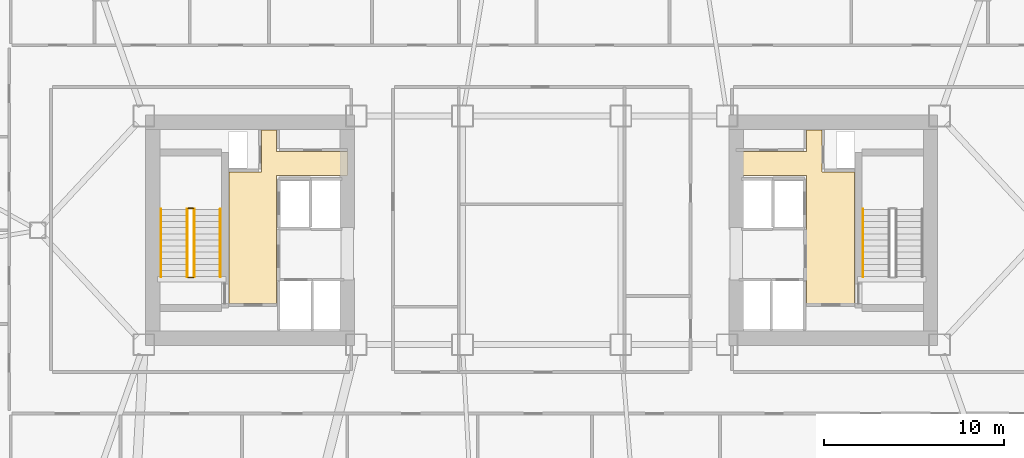
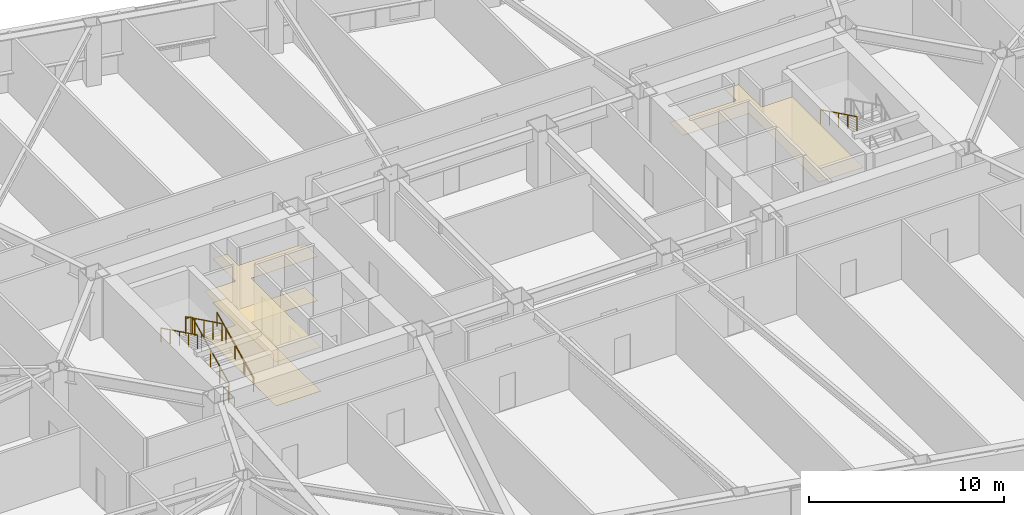
# One storey, part 19 of 20: 7 railings, 3 coverings.
"""IFC4 building model written with IfcOpenShell, lengths in metres."""

from ifc_helpers import new_model, si_unit, direction, frame, origin, origin_2d, place, context, subcontext, project, spatial, polyline, rectangle, outline, extrude, material, layer, layer_set, type_object, element, save


model = new_model("IFC4")

# Units and contexts
model_context = context("Model", 3, precision=1e-05, world=origin(), true_north=direction((0.0, 1.0)))
body_context = subcontext(model_context, "Body", "Model", "MODEL_VIEW")
ifc_project = project(units=[si_unit("LENGTHUNIT", "METRE"), si_unit("AREAUNIT", "SQUARE_METRE"), si_unit("VOLUMEUNIT", "CUBIC_METRE"), si_unit("PLANEANGLEUNIT", "RADIAN"), si_unit("MASSUNIT", "GRAM", prefix="KILO")], contexts=[model_context])

# Site, building, storey
site_placement = place(None, origin())
site = spatial("IfcSite", under=ifc_project, at=site_placement, CompositionType="ELEMENT")
building_placement = place(site_placement, origin())
building = spatial("IfcBuilding", under=site, at=building_placement, Name="Tavrogorsk Clinical Tower", CompositionType="ELEMENT")
storey_placement = place(building_placement, frame((0.0, 0.0, 39.39990234375)))
storey = spatial("IfcBuildingStorey", under=building, at=storey_placement, Name="L07", CompositionType="ELEMENT", Elevation=39.39990234375)

# Coverings
ifc_material_1 = material(Name="Antibacterial micro-perforated aluminium ceiling", Category="aluminium")
ifc_layer_1 = layer(ifc_material_1, 0.014892578125)
ifc_layer_set_1 = layer_set([ifc_layer_1], Name="Antibacterial micro-perforated aluminium ceiling")
covering_type_1 = type_object("IfcCoveringType", Name="ClinicalCeiling_15", PredefinedType="CEILING", material=ifc_layer_set_1)
covering_1_placement = place(storey_placement, frame((0.0, 0.0, 2.75)))
element("IfcCovering", 1, at=covering_1_placement, inside=storey, type_object=covering_type_1, Name="Core West Firefighting Lift Lobby Acoustic Ceiling", PredefinedType="CEILING", context=body_context, shape_type="SweptSolid", body=[
    extrude(outline(polyline([(-14.719970703125, 4.3798828125), (-10.800048828125, 4.3798828125), (-10.800048828125, 3.0400390625), (-14.719970703125, 3.0400390625), (-14.719970703125, -4.06005859375), (-17.3798828125, -4.06005859375), (-17.3798828125, 3.239990234375), (-15.56005859375, 3.239990234375), (-15.56005859375, 5.56005859375), (-14.719970703125, 5.56005859375), (-14.719970703125, 4.3798828125)])), origin(), (0.0, 0.0, 1.0), 0.01513671875),
])
covering_2_placement = place(storey_placement, frame((0.0, 0.0, 2.75)))
element("IfcCovering", 2, at=covering_2_placement, inside=storey, type_object=covering_type_1, Name="Core East Firefighting Lift Lobby Acoustic Ceiling", PredefinedType="CEILING", context=body_context, shape_type="SweptSolid", body=[
    extrude(outline(polyline([(14.719970703125, -4.06005859375), (14.719970703125, 3.0400390625), (10.800048828125, 3.0400390625), (10.800048828125, 4.3798828125), (14.719970703125, 4.3798828125), (14.719970703125, 5.56005859375), (15.56005859375, 5.56005859375), (15.56005859375, 3.239990234375), (17.3798828125, 3.239990234375), (17.3798828125, -4.06005859375), (14.719970703125, -4.06005859375)])), origin(), (0.0, 0.0, 1.0), 0.01513671875),
])
ifc_material_2 = material(Name="Homogeneous medical conductive PVC flooring")
ifc_layer_2 = layer(ifc_material_2, 0.008056640625)
ifc_layer_set_2 = layer_set([ifc_layer_2], Name="Homogeneous medical conductive PVC flooring")
covering_type_2 = type_object("IfcCoveringType", Name="ResilientVinylFloor_8", PredefinedType="FLOORING", material=ifc_layer_set_2)
covering_3_placement = place(storey_placement, origin())
element("IfcCovering", 3, at=covering_3_placement, inside=storey, type_object=covering_type_2, Name="Core West Firefighting Lift Lobby Conductive Vinyl Flooring", PredefinedType="FLOORING", context=body_context, shape_type="SweptSolid", body=[
    extrude(outline(polyline([(-14.719970703125, 4.3798828125), (-10.800048828125, 4.3798828125), (-10.800048828125, 3.0400390625), (-14.719970703125, 3.0400390625), (-14.719970703125, -4.06005859375), (-17.3798828125, -4.06005859375), (-17.3798828125, 3.239990234375), (-15.56005859375, 3.239990234375), (-15.56005859375, 5.56005859375), (-14.719970703125, 5.56005859375), (-14.719970703125, 4.3798828125)])), origin(), (0.0, 0.0, 1.0), 0.008056640625),
])

# Railings
ifc_material_3 = material(Name="Galvanised steel S355 safety stairwell guard", Category="steel")
ifc_layer_3 = layer(ifc_material_3, 0.06005859375)
ifc_layer_set_3 = layer_set([ifc_layer_3], Name="Galvanised steel S355 safety stairwell guard")
railing_type_1 = type_object("IfcRailingType", Name="StairGuard_1150", PredefinedType="GUARDRAIL", material=ifc_layer_set_3)
railing_1_placement = place(storey_placement, frame((-19.300048828125, -2.574951171875, 0.166748046875)))
element("IfcRailing", 4, at=railing_1_placement, inside=storey, type_object=railing_type_1, Name="L07 ST-W stair guard 1", PredefinedType="GUARDRAIL", context=body_context, shape_type="SweptSolid", body=[
    extrude(rectangle(XDim=0.048095703125, YDim=0.048095703125, at=origin_2d()), frame((0.0, 0.0, 1.076171875), z_axis=(0.0, 0.897927990467, 0.440142390523), x_axis=(-1.0, 0.0, 0.0)), (0.0, 0.0, 1.0), 4.1650390625),
    extrude(rectangle(XDim=0.0419921875, YDim=0.0419921875, at=origin_2d()), origin(), (0.0, 0.0, 1.0), 1.052001953125),
    extrude(rectangle(XDim=0.0419921875, YDim=0.0419921875, at=origin_2d()), frame((0.0, 0.93505859375, 0.458251953125)), (0.0, 0.0, 1.0), 1.052001953125),
    extrude(rectangle(XDim=0.0419921875, YDim=0.0419921875, at=origin_2d()), frame((0.0, 1.8701171875, 0.91650390625)), (0.0, 0.0, 1.0), 1.052001953125),
    extrude(rectangle(XDim=0.0419921875, YDim=0.0419921875, at=origin_2d()), frame((0.0, 2.804931640625, 1.375)), (0.0, 0.0, 1.0), 1.052001953125),
    extrude(rectangle(XDim=0.0419921875, YDim=0.0419921875, at=origin_2d()), frame((0.0, 3.739990234375, 1.833251953125)), (0.0, 0.0, 1.0), 1.052001953125),
])
railing_2_placement = place(storey_placement, frame((-19.35009765625, 1.215087890625, 2.0)))
element("IfcRailing", 5, at=railing_2_placement, inside=storey, type_object=railing_type_1, Name="L07 ST-W stair guard 2", PredefinedType="GUARDRAIL", context=body_context, shape_type="SweptSolid", body=[
    extrude(rectangle(XDim=0.048095703125, YDim=0.048095703125, at=origin_2d()), frame((0.0, 0.0, 1.076171875), z_axis=(-1.0, 0.0, 0.0), x_axis=(0.0, -1.0, 0.0)), (0.0, 0.0, 1.0), 0.2998046875),
    extrude(rectangle(XDim=0.0419921875, YDim=0.0419921875, at=origin_2d()), origin(), (0.0, 0.0, 1.0), 1.052001953125),
    extrude(rectangle(XDim=0.0419921875, YDim=0.0419921875, at=origin_2d()), frame((-0.2998046875, 0.0, 0.0)), (0.0, 0.0, 1.0), 1.052001953125),
])
railing_3_placement = place(storey_placement, frame((-19.699951171875, 1.1650390625, 2.166748046875)))
element("IfcRailing", 6, at=railing_3_placement, inside=storey, type_object=railing_type_1, Name="L07 ST-W stair guard 3", PredefinedType="GUARDRAIL", context=body_context, shape_type="SweptSolid", body=[
    extrude(rectangle(XDim=0.048095703125, YDim=0.048095703125, at=origin_2d()), frame((0.0, 0.0, 1.076171875), z_axis=(0.0, -0.897927990467, 0.440142390523), x_axis=(1.0, 0.0, 0.0)), (0.0, 0.0, 1.0), 4.1650390625),
    extrude(rectangle(XDim=0.0419921875, YDim=0.0419921875, at=origin_2d()), origin(), (0.0, 0.0, 1.0), 1.052001953125),
    extrude(rectangle(XDim=0.0419921875, YDim=0.0419921875, at=origin_2d()), frame((0.0, -0.93505859375, 0.458251953125)), (0.0, 0.0, 1.0), 1.052001953125),
    extrude(rectangle(XDim=0.0419921875, YDim=0.0419921875, at=origin_2d()), frame((0.0, -1.8701171875, 0.91650390625)), (0.0, 0.0, 1.0), 1.052001953125),
    extrude(rectangle(XDim=0.0419921875, YDim=0.0419921875, at=origin_2d()), frame((0.0, -2.804931640625, 1.375)), (0.0, 0.0, 1.0), 1.052001953125),
    extrude(rectangle(XDim=0.0419921875, YDim=0.0419921875, at=origin_2d()), frame((0.0, -3.739990234375, 1.833251953125)), (0.0, 0.0, 1.0), 1.052001953125),
])
railing_4_placement = place(storey_placement, frame((-19.35009765625, -2.625, 0.0)))
element("IfcRailing", 7, at=railing_4_placement, inside=storey, type_object=railing_type_1, Name="L07 ST-W stair guard 4", PredefinedType="GUARDRAIL", context=body_context, shape_type="SweptSolid", body=[
    extrude(rectangle(XDim=0.048095703125, YDim=0.048095703125, at=origin_2d()), frame((0.0, 0.0, 1.076171875), z_axis=(-1.0, 0.0, 0.0), x_axis=(0.0, -1.0, 0.0)), (0.0, 0.0, 1.0), 0.2998046875),
    extrude(rectangle(XDim=0.0419921875, YDim=0.0419921875, at=origin_2d()), origin(), (0.0, 0.0, 1.0), 1.052001953125),
    extrude(rectangle(XDim=0.0419921875, YDim=0.0419921875, at=origin_2d()), frame((-0.2998046875, 0.0, 0.0)), (0.0, 0.0, 1.0), 1.052001953125),
])
ifc_material_4 = material(Name="Stainless steel AISI 304 tubular handrail", Category="steel")
ifc_layer_4 = layer(ifc_material_4, 0.050048828125)
ifc_layer_set_4 = layer_set([ifc_layer_4], Name="Stainless steel AISI 304 tubular handrail")
railing_type_2 = type_object("IfcRailingType", Name="StairHandrail_920", PredefinedType="HANDRAIL", material=ifc_layer_set_4)
railing_5_placement = place(storey_placement, frame((-17.85009765625, -2.574951171875, 0.166748046875)))
element("IfcRailing", 8, at=railing_5_placement, inside=storey, type_object=railing_type_2, Name="L07 ST-W stair handrail 1", PredefinedType="HANDRAIL", context=body_context, shape_type="SweptSolid", body=[
    extrude(rectangle(XDim=0.048095703125, YDim=0.048095703125, at=origin_2d()), frame((0.0, 0.0, 0.8759765625), z_axis=(0.0, 0.897927990467, 0.440142390523), x_axis=(-1.0, 0.0, 0.0)), (0.0, 0.0, 1.0), 4.1650390625),
    extrude(rectangle(XDim=0.0419921875, YDim=0.0419921875, at=origin_2d()), origin(), (0.0, 0.0, 1.0), 0.851806640625),
    extrude(rectangle(XDim=0.0419921875, YDim=0.0419921875, at=origin_2d()), frame((0.0, 0.93505859375, 0.458251953125)), (0.0, 0.0, 1.0), 0.851806640625),
    extrude(rectangle(XDim=0.0419921875, YDim=0.0419921875, at=origin_2d()), frame((0.0, 1.8701171875, 0.91650390625)), (0.0, 0.0, 1.0), 0.851806640625),
    extrude(rectangle(XDim=0.0419921875, YDim=0.0419921875, at=origin_2d()), frame((0.0, 2.804931640625, 1.375)), (0.0, 0.0, 1.0), 0.851806640625),
    extrude(rectangle(XDim=0.0419921875, YDim=0.0419921875, at=origin_2d()), frame((0.0, 3.739990234375, 1.833251953125)), (0.0, 0.0, 1.0), 0.851806640625),
])
for number, where, name in (
    (9, (-21.14990234375, 1.1650390625, 2.166748046875), "L07 ST-W stair handrail 2"),
    (10, (17.85009765625, 1.1650390625, 2.166748046875), "L07 ST-E stair handrail 2"),
):
    element("IfcRailing", number, at=place(storey_placement, frame(where)), inside=storey, type_object=railing_type_2, Name=name, PredefinedType="HANDRAIL", context=body_context, shape_type="SweptSolid", body=[
        extrude(rectangle(XDim=0.048095703125, YDim=0.048095703125, at=origin_2d()), frame((0.0, 0.0, 0.8759765625), z_axis=(0.0, -0.897927990467, 0.440142390523), x_axis=(1.0, 0.0, 0.0)), (0.0, 0.0, 1.0), 4.1650390625),
        extrude(rectangle(XDim=0.0419921875, YDim=0.0419921875, at=origin_2d()), origin(), (0.0, 0.0, 1.0), 0.851806640625),
        extrude(rectangle(XDim=0.0419921875, YDim=0.0419921875, at=origin_2d()), frame((0.0, -0.93505859375, 0.458251953125)), (0.0, 0.0, 1.0), 0.851806640625),
        extrude(rectangle(XDim=0.0419921875, YDim=0.0419921875, at=origin_2d()), frame((0.0, -1.8701171875, 0.91650390625)), (0.0, 0.0, 1.0), 0.851806640625),
        extrude(rectangle(XDim=0.0419921875, YDim=0.0419921875, at=origin_2d()), frame((0.0, -2.804931640625, 1.375)), (0.0, 0.0, 1.0), 0.851806640625),
        extrude(rectangle(XDim=0.0419921875, YDim=0.0419921875, at=origin_2d()), frame((0.0, -3.739990234375, 1.833251953125)), (0.0, 0.0, 1.0), 0.851806640625),
    ])

save(model, "model.ifc")
